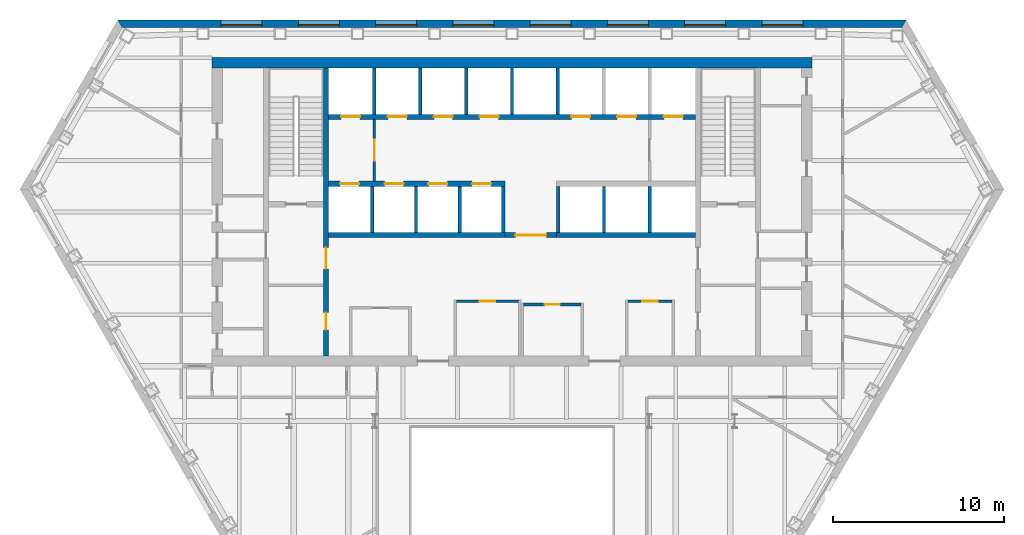
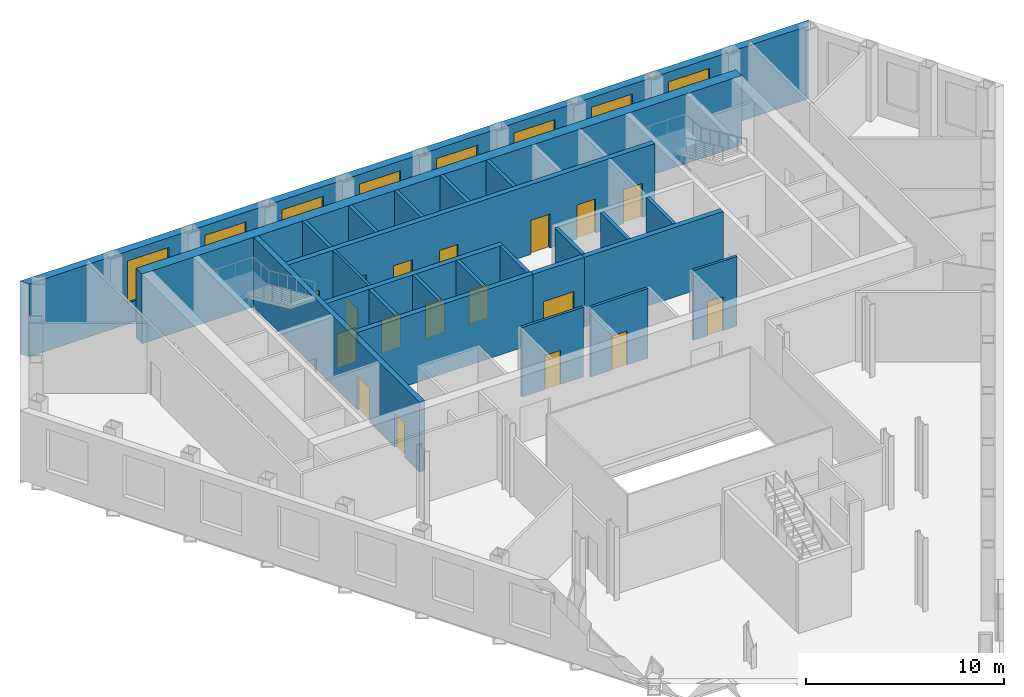
# One storey, part 7 of 11: 24 walls, 18 doors, 8 windows, 26 openings.
"""IFC4 building model written with IfcOpenShell, lengths in metres."""

from ifc_helpers import new_model, si_unit, direction, frame, frame_2d, origin, place, context, subcontext, project, spatial, polyline, rectangle, outline, extrude, material, layer, layer_set, type_object, element, fill, save


model = new_model("IFC4")

# Units and contexts
model_context = context("Model", 3, precision=1e-05, world=origin(), true_north=direction((0.0, 1.0)))
body_context = subcontext(model_context, "Body", "Model", "MODEL_VIEW")
ifc_project = project(units=[si_unit("LENGTHUNIT", "METRE"), si_unit("AREAUNIT", "SQUARE_METRE"), si_unit("VOLUMEUNIT", "CUBIC_METRE"), si_unit("PLANEANGLEUNIT", "RADIAN"), si_unit("MASSUNIT", "GRAM", prefix="KILO")], contexts=[model_context])

# Site, building, storey
site_placement = place(None, origin())
site = spatial("IfcSite", under=ifc_project, at=site_placement, CompositionType="ELEMENT")
building_placement = place(site_placement, origin())
building = spatial("IfcBuilding", under=site, at=building_placement, Name="Njiva Tower", CompositionType="ELEMENT")
storey_placement = place(building_placement, frame((0.0, 0.0, 46.8)))
storey = spatial("IfcBuildingStorey", under=building, at=storey_placement, Name="L09", CompositionType="ELEMENT", Elevation=46.8)

# Wall, opening, door
ifc_material_1 = material(Name="Blockwork", Category="masonry")
ifc_layer_1 = layer(ifc_material_1, 0.15)
ifc_layer_set_1 = layer_set([ifc_layer_1], Name="Blockwork")
wall_type_1 = type_object("IfcWallType", Name="WT1 Compartment partition 150", PredefinedType="PARTITIONING", material=ifc_layer_set_1)
wall_1_placement = place(storey_placement, frame((-3.225, 3.8, 0.0), z_axis=(0.0, 0.0, 1.0), x_axis=(1.0, 0.0, 0.0)))
wall_1 = element("IfcWall", 1, at=wall_1_placement, inside=storey, type_object=wall_type_1, Name="First aid room wall north", PredefinedType="PARTITIONING", context=body_context, shape_type="SweptSolid", body=[
    extrude(rectangle(XDim=3.6, YDim=0.15, at=frame_2d((1.8, 0.0))), origin(), (0.0, 0.0, 1.0), 4.3),
])
opening_1_placement = place(wall_1_placement, frame((1.35, 0.0, 0.0)))
opening_1 = element("IfcOpeningElement", 2, at=opening_1_placement, cuts=wall_1, Name="Opening S03-D933", PredefinedType="OPENING", context=body_context, shape_type="SweptSolid", body=[
    extrude(rectangle(XDim=0.9, YDim=2.1, at=frame_2d((0.45, 1.05))), frame((0.0, 0.085, 0.0), z_axis=(0.0, -1.0, 0.0), x_axis=(1.0, 0.0, 0.0)), (0.0, 0.0, 1.0), 0.17),
])
ifc_material_2 = material(Name="Steel fire door, painted", Category="steel")
door_type_1 = type_object("IfcDoorType", Name="D6 Fire-rated door 900x2100", OperationType="SINGLE_SWING_LEFT", PredefinedType="DOOR", material=ifc_material_2)
door_1_placement = place(opening_1_placement, origin())
door_1 = element("IfcDoor", 3, at=door_1_placement, inside=storey, type_object=door_type_1, Name="First aid room door", OperationType="SINGLE_SWING_LEFT", OverallHeight=2.1, OverallWidth=0.9, PredefinedType="DOOR", context=body_context, shape_type="SweptSolid", body=[
    extrude(rectangle(XDim=0.9, YDim=2.1, at=frame_2d((0.45, 1.05))), frame((0.0, 0.025, 0.0), z_axis=(0.0, -1.0, 0.0), x_axis=(1.0, 0.0, 0.0)), (0.0, 0.0, 1.0), 0.05),
])
fill(opening_1, door_1)

wall_2_placement = place(storey_placement, frame((0.675, 3.6, 0.0), z_axis=(0.0, 0.0, 1.0), x_axis=(1.0, 0.0, 0.0)))
wall_2 = element("IfcWall", 4, at=wall_2_placement, inside=storey, type_object=wall_type_1, Name="Parcel room wall north", PredefinedType="PARTITIONING", context=body_context, shape_type="SweptSolid", body=[
    extrude(rectangle(XDim=3.35, YDim=0.15, at=frame_2d((1.675, 0.0))), origin(), (0.0, 0.0, 1.0), 4.3),
])
opening_2_placement = place(wall_2_placement, frame((1.225, 0.0, 0.0)))
opening_2 = element("IfcOpeningElement", 5, at=opening_2_placement, cuts=wall_2, Name="Opening S03-D934", PredefinedType="OPENING", context=body_context, shape_type="SweptSolid", body=[
    extrude(rectangle(XDim=0.9, YDim=2.1, at=frame_2d((0.45, 1.05))), frame((0.0, 0.085, 0.0), z_axis=(0.0, -1.0, 0.0), x_axis=(1.0, 0.0, 0.0)), (0.0, 0.0, 1.0), 0.17),
])
door_2_placement = place(opening_2_placement, origin())
door_2 = element("IfcDoor", 6, at=door_2_placement, inside=storey, type_object=door_type_1, Name="Parcel room door", OperationType="SINGLE_SWING_LEFT", OverallHeight=2.1, OverallWidth=0.9, PredefinedType="DOOR", context=body_context, shape_type="SweptSolid", body=[
    extrude(rectangle(XDim=0.9, YDim=2.1, at=frame_2d((0.45, 1.05))), frame((0.0, 0.025, 0.0), z_axis=(0.0, -1.0, 0.0), x_axis=(1.0, 0.0, 0.0)), (0.0, 0.0, 1.0), 0.05),
])
fill(opening_2, door_2)

wall_3_placement = place(storey_placement, frame((6.775, 3.8, 0.0), z_axis=(0.0, 0.0, 1.0), x_axis=(1.0, 0.0, 0.0)))
wall_3 = element("IfcWall", 7, at=wall_3_placement, inside=storey, type_object=wall_type_1, Name="Security office wall north", PredefinedType="PARTITIONING", context=body_context, shape_type="SweptSolid", body=[
    extrude(rectangle(XDim=2.55, YDim=0.15, at=frame_2d((1.275, 0.0))), origin(), (0.0, 0.0, 1.0), 4.3),
])
opening_3_placement = place(wall_3_placement, frame((0.825, 0.0, 0.0)))
opening_3 = element("IfcOpeningElement", 8, at=opening_3_placement, cuts=wall_3, Name="Opening S03-D935", PredefinedType="OPENING", context=body_context, shape_type="SweptSolid", body=[
    extrude(rectangle(XDim=0.9, YDim=2.1, at=frame_2d((0.45, 1.05))), frame((0.0, 0.085, 0.0), z_axis=(0.0, -1.0, 0.0), x_axis=(1.0, 0.0, 0.0)), (0.0, 0.0, 1.0), 0.17),
])
door_3_placement = place(opening_3_placement, origin())
door_3 = element("IfcDoor", 9, at=door_3_placement, inside=storey, type_object=door_type_1, Name="Security office door", OperationType="SINGLE_SWING_RIGHT", OverallHeight=2.1, OverallWidth=0.9, PredefinedType="DOOR", context=body_context, shape_type="SweptSolid", body=[
    extrude(rectangle(XDim=0.9, YDim=2.1, at=frame_2d((0.45, 1.05))), frame((0.0, 0.025, 0.0), z_axis=(0.0, -1.0, 0.0), x_axis=(1.0, 0.0, 0.0)), (0.0, 0.0, 1.0), 0.05),
])
fill(opening_3, door_3)

# Wall, openings, doors
ifc_material_3 = material(Name="Concrete C40/50", Category="concrete")
ifc_layer_2 = layer(ifc_material_3, 0.3)
ifc_layer_set_2 = layer_set([ifc_layer_2], Name="Concrete C40/50")
wall_type_2 = type_object("IfcWallType", Name="WT10 Stair enclosure wall 300", PredefinedType="SHEAR", material=ifc_layer_set_2)
wall_4_placement = place(storey_placement, frame((-10.85, 0.6, 0.0), z_axis=(0.0, 0.0, 1.0), x_axis=(0.0, 1.0, 0.0)))
wall_4 = element("IfcWall", 10, at=wall_4_placement, inside=storey, type_object=wall_type_2, Name="Stair wall west inner", PredefinedType="SHEAR", context=body_context, shape_type="SweptSolid", body=[
    extrude(rectangle(XDim=16.8, YDim=0.3, at=frame_2d((8.4, 0.0))), origin(), (0.0, 0.0, 1.0), 4.3),
])
opening_4_placement = place(wall_4_placement, frame((5.075, 0.0, 0.0)))
opening_4 = element("IfcOpeningElement", 11, at=opening_4_placement, cuts=wall_4, Name="Opening S03-D914", PredefinedType="OPENING", context=body_context, shape_type="SweptSolid", body=[
    extrude(rectangle(XDim=1.25, YDim=2.1, at=frame_2d((0.625, 1.05))), frame((0.0, 0.16, 0.0), z_axis=(0.0, -1.0, 0.0), x_axis=(1.0, 0.0, 0.0)), (0.0, 0.0, 1.0), 0.32),
])
opening_5_placement = place(wall_4_placement, frame((1.525, 0.0, 0.0)))
opening_5 = element("IfcOpeningElement", 12, at=opening_5_placement, cuts=wall_4, Name="Opening S03-D915", PredefinedType="OPENING", context=body_context, shape_type="SweptSolid", body=[
    extrude(rectangle(XDim=1.0, YDim=2.1, at=frame_2d((0.5, 1.05))), frame((0.0, 0.16, 0.0), z_axis=(0.0, -1.0, 0.0), x_axis=(1.0, 0.0, 0.0)), (0.0, 0.0, 1.0), 0.32),
])
ifc_material_4 = material(Name="Steel door, painted", Category="steel")
door_type_2 = type_object("IfcDoorType", Name="D5 Steel door 1000x2100", OperationType="SINGLE_SWING_LEFT", PredefinedType="DOOR", material=ifc_material_4)
door_4_placement = place(opening_5_placement, origin())
door_4 = element("IfcDoor", 13, at=door_4_placement, inside=storey, type_object=door_type_2, Name="First aid room door", OperationType="SINGLE_SWING_RIGHT", OverallHeight=2.1, OverallWidth=1.0, PredefinedType="DOOR", context=body_context, shape_type="SweptSolid", body=[
    extrude(rectangle(XDim=1.0, YDim=2.1, at=frame_2d((0.5, 1.05))), frame((0.0, 0.025, 0.0), z_axis=(0.0, -1.0, 0.0), x_axis=(1.0, 0.0, 0.0)), (0.0, 0.0, 1.0), 0.05),
])
fill(opening_5, door_4)
ifc_material_5 = material(Name="Glazed steel fire door", Category="steel")
door_type_3 = type_object("IfcDoorType", Name="D8 Vestibule corridor door 1250x2100 glazed", OperationType="SINGLE_SWING_LEFT", PredefinedType="DOOR", material=ifc_material_5)
door_5_placement = place(opening_4_placement, origin())
door_5 = element("IfcDoor", 14, at=door_5_placement, inside=storey, type_object=door_type_3, Name="Stair vestibule corridor door", OperationType="SINGLE_SWING_LEFT", OverallHeight=2.1, OverallWidth=1.25, PredefinedType="DOOR", context=body_context, shape_type="SweptSolid", body=[
    extrude(rectangle(XDim=1.25, YDim=2.1, at=frame_2d((0.625, 1.05))), frame((0.0, 0.025, 0.0), z_axis=(0.0, -1.0, 0.0), x_axis=(1.0, 0.0, 0.0)), (0.0, 0.0, 1.0), 0.05),
])
fill(opening_4, door_5)

# Wall
ifc_material_6 = material(Name="Concrete C60/75", Category="concrete")
ifc_layer_3 = layer(ifc_material_6, 0.6)
ifc_layer_set_3 = layer_set([ifc_layer_3], Name="Concrete C60/75")
wall_type_3 = type_object("IfcWallType", Name="WT15 Core wall 600", PredefinedType="SHEAR", material=ifc_layer_set_3)
wall_5_placement = place(storey_placement, frame((-17.5, 17.7, 0.0), z_axis=(0.0, 0.0, 1.0), x_axis=(1.0, 0.0, 0.0)))
element("IfcWall", 15, at=wall_5_placement, inside=storey, type_object=wall_type_3, Name="Core wall north", PredefinedType="SHEAR", context=body_context, shape_type="SweptSolid", body=[
    extrude(rectangle(XDim=35.0, YDim=0.6, at=frame_2d((17.5, 0.0))), origin(), (0.0, 0.0, 1.0), 4.3),
])

# Wall, opening, door
ifc_layer_4 = layer(ifc_material_1, 0.15)
ifc_layer_set_4 = layer_set([ifc_layer_4], Name="Blockwork")
wall_type_4 = type_object("IfcWallType", Name="WT2 Lobby partition 150", PredefinedType="PARTITIONING", material=ifc_layer_set_4)
wall_6_placement = place(storey_placement, frame((-8.025, 10.8, 0.0), z_axis=(0.0, 0.0, 1.0), x_axis=(0.0, 1.0, 0.0)))
wall_6 = element("IfcWall", 16, at=wall_6_placement, inside=storey, type_object=wall_type_4, Name="Firefighting lobby wall A", PredefinedType="PARTITIONING", context=body_context, shape_type="SweptSolid", body=[
    extrude(rectangle(XDim=3.6, YDim=0.15, at=frame_2d((1.8, 0.0))), origin(), (0.0, 0.0, 1.0), 4.3),
])
opening_6_placement = place(wall_6_placement, frame((1.175, 0.0, 0.0)))
opening_6 = element("IfcOpeningElement", 17, at=opening_6_placement, cuts=wall_6, Name="Opening S03-D912", PredefinedType="OPENING", context=body_context, shape_type="SweptSolid", body=[
    extrude(rectangle(XDim=1.25, YDim=2.1, at=frame_2d((0.625, 1.05))), frame((0.0, 0.085, 0.0), z_axis=(0.0, -1.0, 0.0), x_axis=(1.0, 0.0, 0.0)), (0.0, 0.0, 1.0), 0.17),
])
door_6_placement = place(opening_6_placement, origin())
door_6 = element("IfcDoor", 18, at=door_6_placement, inside=storey, type_object=door_type_3, Name="Stair vestibule corridor door", OperationType="SINGLE_SWING_RIGHT", OverallHeight=2.1, OverallWidth=1.25, PredefinedType="DOOR", context=body_context, shape_type="SweptSolid", body=[
    extrude(rectangle(XDim=1.25, YDim=2.1, at=frame_2d((0.625, 1.05))), frame((0.0, 0.025, 0.0), z_axis=(0.0, -1.0, 0.0), x_axis=(1.0, 0.0, 0.0)), (0.0, 0.0, 1.0), 0.05),
])
fill(opening_6, door_6)

ifc_layer_5 = layer(ifc_material_1, 0.3)
ifc_layer_set_5 = layer_set([ifc_layer_5], Name="Blockwork")
wall_type_5 = type_object("IfcWallType", Name="WT5 Lobby partition 300", PredefinedType="PARTITIONING", material=ifc_layer_set_5)
wall_7_placement = place(storey_placement, frame((-0.4, 7.65, 0.0), z_axis=(0.0, 0.0, 1.0), x_axis=(1.0, 0.0, 0.0)))
wall_7 = element("IfcWall", 19, at=wall_7_placement, inside=storey, type_object=wall_type_5, Name="Lift lobby screen wall", PredefinedType="PARTITIONING", context=body_context, shape_type="SweptSolid", body=[
    extrude(rectangle(XDim=3.0, YDim=0.3, at=frame_2d((1.5, 0.0))), origin(), (0.0, 0.0, 1.0), 4.3),
])
opening_7_placement = place(wall_7_placement, frame((0.6, 0.0, 0.0)))
opening_7 = element("IfcOpeningElement", 20, at=opening_7_placement, cuts=wall_7, Name="Opening S03-D936", PredefinedType="OPENING", context=body_context, shape_type="SweptSolid", body=[
    extrude(rectangle(XDim=1.8, YDim=2.4, at=frame_2d((0.9, 1.2))), frame((0.0, 0.16, 0.0), z_axis=(0.0, -1.0, 0.0), x_axis=(1.0, 0.0, 0.0)), (0.0, 0.0, 1.0), 0.32),
])
ifc_material_7 = material(Name="Steel and glass door", Category="steel")
door_type_4 = type_object("IfcDoorType", Name="D3 Core entrance door 1800x2400", OperationType="DOUBLE_DOOR_SINGLE_SWING", PredefinedType="DOOR", material=ifc_material_7)
door_7_placement = place(opening_7_placement, origin())
door_7 = element("IfcDoor", 21, at=door_7_placement, inside=storey, type_object=door_type_4, Name="Core entrance door", OperationType="DOUBLE_DOOR_SINGLE_SWING", OverallHeight=2.4, OverallWidth=1.8, PredefinedType="DOOR", context=body_context, shape_type="SweptSolid", body=[
    extrude(rectangle(XDim=1.8, YDim=2.4, at=frame_2d((0.9, 1.2))), frame((0.0, 0.025, 0.0), z_axis=(0.0, -1.0, 0.0), x_axis=(1.0, 0.0, 0.0)), (0.0, 0.0, 1.0), 0.05),
])
fill(opening_7, door_7)

# Walls
ifc_layer_6 = layer(ifc_material_3, 0.2)
ifc_layer_set_6 = layer_set([ifc_layer_6], Name="Concrete C40/50")
wall_type_6 = type_object("IfcWallType", Name="WT6 Lift shaft wall 200", PredefinedType="SHEAR", material=ifc_layer_set_6)
for number, where, z_axis, x_axis, name in (
    (22, (-8.025, 14.7, 0.0), (0.0, 0.0, 1.0), (0.0, 1.0, 0.0), "Shaft wall CN1"),
    (23, (-5.35, 14.7, 0.0), (0.0, 0.0, 1.0), (0.0, 1.0, 0.0), "Shaft wall CN2"),
    (24, (-2.675, 14.7, 0.0), (0.0, 0.0, 1.0), (0.0, 1.0, 0.0), "Shaft wall CN3"),
    (25, (0.0, 14.7, 0.0), (0.0, 0.0, 1.0), (0.0, 1.0, 0.0), "Shaft wall CN4"),
    (26, (2.675, 14.7, 0.0), (0.0, 0.0, 1.0), (0.0, 1.0, 0.0), "Shaft wall CN5"),
    (27, (-8.15, 7.8, 0.0), (0.0, 0.0, 1.0), (0.0, 1.0, 0.0), "Shaft wall CS1"),
    (28, (-5.6, 7.8, 0.0), (0.0, 0.0, 1.0), (0.0, 1.0, 0.0), "Shaft wall CS2"),
    (29, (-3.05, 7.8, 0.0), (0.0, 0.0, 1.0), (0.0, 1.0, 0.0), "Shaft wall CS3"),
    (30, (-0.5, 7.8, 0.0), (0.0, 0.0, 1.0), (0.0, 1.0, 0.0), "Shaft wall CS4"),
    (31, (2.7, 7.8, 0.0), (0.0, 0.0, 1.0), (0.0, 1.0, 0.0), "Shaft wall CS5"),
    (32, (5.3667, 7.8, 0.0), (0.0, 0.0, 1.0), (0.0, 1.0, 0.0), "Shaft wall CS6"),
    (33, (8.0333, 7.8, 0.0), (0.0, 0.0, 1.0), (0.0, 1.0, 0.0), "Shaft wall CS7"),
):
    element("IfcWall", number, at=place(storey_placement, frame(where, z_axis=z_axis, x_axis=x_axis)), inside=storey, type_object=wall_type_6, Name=name, PredefinedType="SHEAR", context=body_context, shape_type="SweptSolid", body=[
        extrude(rectangle(XDim=2.7, YDim=0.2, at=frame_2d((1.35, 0.0))), origin(), (0.0, 0.0, 1.0), 4.3),
    ])

# Wall, openings, doors
ifc_layer_7 = layer(ifc_material_3, 0.3)
ifc_layer_set_7 = layer_set([ifc_layer_7], Name="Concrete C40/50")
wall_type_7 = type_object("IfcWallType", Name="WT7 Lift shaft wall 300", PredefinedType="SHEAR", material=ifc_layer_set_7)
wall_8_placement = place(storey_placement, frame((-10.7, 14.55, 0.0), z_axis=(0.0, 0.0, 1.0), x_axis=(1.0, 0.0, 0.0)))
wall_8 = element("IfcWall", 34, at=wall_8_placement, inside=storey, type_object=wall_type_7, Name="Shaft wall north row lobby side", PredefinedType="SHEAR", context=body_context, shape_type="SweptSolid", body=[
    extrude(rectangle(XDim=21.4, YDim=0.3, at=frame_2d((10.7, 0.0))), origin(), (0.0, 0.0, 1.0), 4.3),
])
opening_8_placement = place(wall_8_placement, frame((0.7375, 0.0, 0.0)))
opening_8 = element("IfcOpeningElement", 35, at=opening_8_placement, cuts=wall_8, Name="Opening S03-D901", PredefinedType="OPENING", context=body_context, shape_type="SweptSolid", body=[
    extrude(rectangle(XDim=1.1, YDim=2.1, at=frame_2d((0.55, 1.05))), frame((0.0, 0.16, 0.0), z_axis=(0.0, -1.0, 0.0), x_axis=(1.0, 0.0, 0.0)), (0.0, 0.0, 1.0), 0.32),
])
opening_9_placement = place(wall_8_placement, frame((3.4625, 0.0, 0.0)))
opening_9 = element("IfcOpeningElement", 36, at=opening_9_placement, cuts=wall_8, Name="Opening S03-D902", PredefinedType="OPENING", context=body_context, shape_type="SweptSolid", body=[
    extrude(rectangle(XDim=1.1, YDim=2.1, at=frame_2d((0.55, 1.05))), frame((0.0, 0.16, 0.0), z_axis=(0.0, -1.0, 0.0), x_axis=(1.0, 0.0, 0.0)), (0.0, 0.0, 1.0), 0.32),
])
opening_10_placement = place(wall_8_placement, frame((6.1375, 0.0, 0.0)))
opening_10 = element("IfcOpeningElement", 37, at=opening_10_placement, cuts=wall_8, Name="Opening S03-D903", PredefinedType="OPENING", context=body_context, shape_type="SweptSolid", body=[
    extrude(rectangle(XDim=1.1, YDim=2.1, at=frame_2d((0.55, 1.05))), frame((0.0, 0.16, 0.0), z_axis=(0.0, -1.0, 0.0), x_axis=(1.0, 0.0, 0.0)), (0.0, 0.0, 1.0), 0.32),
])
opening_11_placement = place(wall_8_placement, frame((8.8125, 0.0, 0.0)))
opening_11 = element("IfcOpeningElement", 38, at=opening_11_placement, cuts=wall_8, Name="Opening S03-D904", PredefinedType="OPENING", context=body_context, shape_type="SweptSolid", body=[
    extrude(rectangle(XDim=1.1, YDim=2.1, at=frame_2d((0.55, 1.05))), frame((0.0, 0.16, 0.0), z_axis=(0.0, -1.0, 0.0), x_axis=(1.0, 0.0, 0.0)), (0.0, 0.0, 1.0), 0.32),
])
opening_12_placement = place(wall_8_placement, frame((14.1625, 0.0, 0.0)))
opening_12 = element("IfcOpeningElement", 39, at=opening_12_placement, cuts=wall_8, Name="Opening S03-D905", PredefinedType="OPENING", context=body_context, shape_type="SweptSolid", body=[
    extrude(rectangle(XDim=1.1, YDim=2.1, at=frame_2d((0.55, 1.05))), frame((0.0, 0.16, 0.0), z_axis=(0.0, -1.0, 0.0), x_axis=(1.0, 0.0, 0.0)), (0.0, 0.0, 1.0), 0.32),
])
opening_13_placement = place(wall_8_placement, frame((16.8375, 0.0, 0.0)))
opening_13 = element("IfcOpeningElement", 40, at=opening_13_placement, cuts=wall_8, Name="Opening S03-D906", PredefinedType="OPENING", context=body_context, shape_type="SweptSolid", body=[
    extrude(rectangle(XDim=1.1, YDim=2.1, at=frame_2d((0.55, 1.05))), frame((0.0, 0.16, 0.0), z_axis=(0.0, -1.0, 0.0), x_axis=(1.0, 0.0, 0.0)), (0.0, 0.0, 1.0), 0.32),
])
opening_14_placement = place(wall_8_placement, frame((19.5625, 0.0, 0.0)))
opening_14 = element("IfcOpeningElement", 41, at=opening_14_placement, cuts=wall_8, Name="Opening S03-D907", PredefinedType="OPENING", context=body_context, shape_type="SweptSolid", body=[
    extrude(rectangle(XDim=1.1, YDim=2.1, at=frame_2d((0.55, 1.05))), frame((0.0, 0.16, 0.0), z_axis=(0.0, -1.0, 0.0), x_axis=(1.0, 0.0, 0.0)), (0.0, 0.0, 1.0), 0.32),
])
ifc_material_8 = material(Name="Stainless steel sliding door", Category="steel")
door_type_5 = type_object("IfcDoorType", Name="LD Lift landing door 1100x2100", OperationType="SLIDING_TO_LEFT", PredefinedType="DOOR", material=ifc_material_8)
door_8_placement = place(opening_8_placement, origin())
door_8 = element("IfcDoor", 42, at=door_8_placement, inside=storey, type_object=door_type_5, Name="Lift landing door FF1", OperationType="SLIDING_TO_LEFT", OverallHeight=2.1, OverallWidth=1.1, PredefinedType="DOOR", context=body_context, shape_type="SweptSolid", body=[
    extrude(rectangle(XDim=1.1, YDim=2.1, at=frame_2d((0.55, 1.05))), frame((0.0, 0.025, 0.0), z_axis=(0.0, -1.0, 0.0), x_axis=(1.0, 0.0, 0.0)), (0.0, 0.0, 1.0), 0.05),
])
fill(opening_8, door_8)
door_9_placement = place(opening_9_placement, origin())
door_9 = element("IfcDoor", 43, at=door_9_placement, inside=storey, type_object=door_type_5, Name="Lift landing door LB1", OperationType="SLIDING_TO_LEFT", OverallHeight=2.1, OverallWidth=1.1, PredefinedType="DOOR", context=body_context, shape_type="SweptSolid", body=[
    extrude(rectangle(XDim=1.1, YDim=2.1, at=frame_2d((0.55, 1.05))), frame((0.0, 0.025, 0.0), z_axis=(0.0, -1.0, 0.0), x_axis=(1.0, 0.0, 0.0)), (0.0, 0.0, 1.0), 0.05),
])
fill(opening_9, door_9)
door_10_placement = place(opening_10_placement, origin())
door_10 = element("IfcDoor", 44, at=door_10_placement, inside=storey, type_object=door_type_5, Name="Lift landing door LB2", OperationType="SLIDING_TO_LEFT", OverallHeight=2.1, OverallWidth=1.1, PredefinedType="DOOR", context=body_context, shape_type="SweptSolid", body=[
    extrude(rectangle(XDim=1.1, YDim=2.1, at=frame_2d((0.55, 1.05))), frame((0.0, 0.025, 0.0), z_axis=(0.0, -1.0, 0.0), x_axis=(1.0, 0.0, 0.0)), (0.0, 0.0, 1.0), 0.05),
])
fill(opening_10, door_10)
door_11_placement = place(opening_11_placement, origin())
door_11 = element("IfcDoor", 45, at=door_11_placement, inside=storey, type_object=door_type_5, Name="Lift landing door LB3", OperationType="SLIDING_TO_LEFT", OverallHeight=2.1, OverallWidth=1.1, PredefinedType="DOOR", context=body_context, shape_type="SweptSolid", body=[
    extrude(rectangle(XDim=1.1, YDim=2.1, at=frame_2d((0.55, 1.05))), frame((0.0, 0.025, 0.0), z_axis=(0.0, -1.0, 0.0), x_axis=(1.0, 0.0, 0.0)), (0.0, 0.0, 1.0), 0.05),
])
fill(opening_11, door_11)
door_12_placement = place(opening_12_placement, origin())
door_12 = element("IfcDoor", 46, at=door_12_placement, inside=storey, type_object=door_type_5, Name="Lift landing door FR1", OperationType="SLIDING_TO_LEFT", OverallHeight=2.1, OverallWidth=1.1, PredefinedType="DOOR", context=body_context, shape_type="SweptSolid", body=[
    extrude(rectangle(XDim=1.1, YDim=2.1, at=frame_2d((0.55, 1.05))), frame((0.0, 0.025, 0.0), z_axis=(0.0, -1.0, 0.0), x_axis=(1.0, 0.0, 0.0)), (0.0, 0.0, 1.0), 0.05),
])
fill(opening_12, door_12)
door_13_placement = place(opening_13_placement, origin())
door_13 = element("IfcDoor", 47, at=door_13_placement, inside=storey, type_object=door_type_5, Name="Lift landing door FR2", OperationType="SLIDING_TO_LEFT", OverallHeight=2.1, OverallWidth=1.1, PredefinedType="DOOR", context=body_context, shape_type="SweptSolid", body=[
    extrude(rectangle(XDim=1.1, YDim=2.1, at=frame_2d((0.55, 1.05))), frame((0.0, 0.025, 0.0), z_axis=(0.0, -1.0, 0.0), x_axis=(1.0, 0.0, 0.0)), (0.0, 0.0, 1.0), 0.05),
])
fill(opening_13, door_13)
door_14_placement = place(opening_14_placement, origin())
door_14 = element("IfcDoor", 48, at=door_14_placement, inside=storey, type_object=door_type_5, Name="Lift landing door FF2", OperationType="SLIDING_TO_LEFT", OverallHeight=2.1, OverallWidth=1.1, PredefinedType="DOOR", context=body_context, shape_type="SweptSolid", body=[
    extrude(rectangle(XDim=1.1, YDim=2.1, at=frame_2d((0.55, 1.05))), frame((0.0, 0.025, 0.0), z_axis=(0.0, -1.0, 0.0), x_axis=(1.0, 0.0, 0.0)), (0.0, 0.0, 1.0), 0.05),
])
fill(opening_14, door_14)

wall_9_placement = place(storey_placement, frame((-10.7, 10.65, 0.0), z_axis=(0.0, 0.0, 1.0), x_axis=(1.0, 0.0, 0.0)))
wall_9 = element("IfcWall", 49, at=wall_9_placement, inside=storey, type_object=wall_type_7, Name="Shaft wall south row lobby side W", PredefinedType="SHEAR", context=body_context, shape_type="SweptSolid", body=[
    extrude(rectangle(XDim=10.3, YDim=0.3, at=frame_2d((5.15, 0.0))), origin(), (0.0, 0.0, 1.0), 4.3),
])
opening_15_placement = place(wall_9_placement, frame((0.675, 0.0, 0.0)))
opening_15 = element("IfcOpeningElement", 50, at=opening_15_placement, cuts=wall_9, Name="Opening S03-D908", PredefinedType="OPENING", context=body_context, shape_type="SweptSolid", body=[
    extrude(rectangle(XDim=1.1, YDim=2.1, at=frame_2d((0.55, 1.05))), frame((0.0, 0.16, 0.0), z_axis=(0.0, -1.0, 0.0), x_axis=(1.0, 0.0, 0.0)), (0.0, 0.0, 1.0), 0.32),
])
opening_16_placement = place(wall_9_placement, frame((3.275, 0.0, 0.0)))
opening_16 = element("IfcOpeningElement", 51, at=opening_16_placement, cuts=wall_9, Name="Opening S03-D909", PredefinedType="OPENING", context=body_context, shape_type="SweptSolid", body=[
    extrude(rectangle(XDim=1.1, YDim=2.1, at=frame_2d((0.55, 1.05))), frame((0.0, 0.16, 0.0), z_axis=(0.0, -1.0, 0.0), x_axis=(1.0, 0.0, 0.0)), (0.0, 0.0, 1.0), 0.32),
])
opening_17_placement = place(wall_9_placement, frame((5.825, 0.0, 0.0)))
opening_17 = element("IfcOpeningElement", 52, at=opening_17_placement, cuts=wall_9, Name="Opening S03-D910", PredefinedType="OPENING", context=body_context, shape_type="SweptSolid", body=[
    extrude(rectangle(XDim=1.1, YDim=2.1, at=frame_2d((0.55, 1.05))), frame((0.0, 0.16, 0.0), z_axis=(0.0, -1.0, 0.0), x_axis=(1.0, 0.0, 0.0)), (0.0, 0.0, 1.0), 0.32),
])
opening_18_placement = place(wall_9_placement, frame((8.375, 0.0, 0.0)))
opening_18 = element("IfcOpeningElement", 53, at=opening_18_placement, cuts=wall_9, Name="Opening S03-D911", PredefinedType="OPENING", context=body_context, shape_type="SweptSolid", body=[
    extrude(rectangle(XDim=1.1, YDim=2.1, at=frame_2d((0.55, 1.05))), frame((0.0, 0.16, 0.0), z_axis=(0.0, -1.0, 0.0), x_axis=(1.0, 0.0, 0.0)), (0.0, 0.0, 1.0), 0.32),
])
door_15_placement = place(opening_15_placement, origin())
door_15 = element("IfcDoor", 54, at=door_15_placement, inside=storey, type_object=door_type_5, Name="Lift landing door LB4", OperationType="SLIDING_TO_LEFT", OverallHeight=2.1, OverallWidth=1.1, PredefinedType="DOOR", context=body_context, shape_type="SweptSolid", body=[
    extrude(rectangle(XDim=1.1, YDim=2.1, at=frame_2d((0.55, 1.05))), frame((0.0, 0.025, 0.0), z_axis=(0.0, -1.0, 0.0), x_axis=(1.0, 0.0, 0.0)), (0.0, 0.0, 1.0), 0.05),
])
fill(opening_15, door_15)
door_16_placement = place(opening_16_placement, origin())
door_16 = element("IfcDoor", 55, at=door_16_placement, inside=storey, type_object=door_type_5, Name="Lift landing door LB5", OperationType="SLIDING_TO_LEFT", OverallHeight=2.1, OverallWidth=1.1, PredefinedType="DOOR", context=body_context, shape_type="SweptSolid", body=[
    extrude(rectangle(XDim=1.1, YDim=2.1, at=frame_2d((0.55, 1.05))), frame((0.0, 0.025, 0.0), z_axis=(0.0, -1.0, 0.0), x_axis=(1.0, 0.0, 0.0)), (0.0, 0.0, 1.0), 0.05),
])
fill(opening_16, door_16)
door_17_placement = place(opening_17_placement, origin())
door_17 = element("IfcDoor", 56, at=door_17_placement, inside=storey, type_object=door_type_5, Name="Lift landing door LB6", OperationType="SLIDING_TO_LEFT", OverallHeight=2.1, OverallWidth=1.1, PredefinedType="DOOR", context=body_context, shape_type="SweptSolid", body=[
    extrude(rectangle(XDim=1.1, YDim=2.1, at=frame_2d((0.55, 1.05))), frame((0.0, 0.025, 0.0), z_axis=(0.0, -1.0, 0.0), x_axis=(1.0, 0.0, 0.0)), (0.0, 0.0, 1.0), 0.05),
])
fill(opening_17, door_17)
door_18_placement = place(opening_18_placement, origin())
door_18 = element("IfcDoor", 57, at=door_18_placement, inside=storey, type_object=door_type_5, Name="Lift landing door LB7", OperationType="SLIDING_TO_LEFT", OverallHeight=2.1, OverallWidth=1.1, PredefinedType="DOOR", context=body_context, shape_type="SweptSolid", body=[
    extrude(rectangle(XDim=1.1, YDim=2.1, at=frame_2d((0.55, 1.05))), frame((0.0, 0.025, 0.0), z_axis=(0.0, -1.0, 0.0), x_axis=(1.0, 0.0, 0.0)), (0.0, 0.0, 1.0), 0.05),
])
fill(opening_18, door_18)

# Walls
wall_10_placement = place(storey_placement, frame((-10.7, 7.65, 0.0), z_axis=(0.0, 0.0, 1.0), x_axis=(1.0, 0.0, 0.0)))
element("IfcWall", 58, at=wall_10_placement, inside=storey, type_object=wall_type_7, Name="Shaft wall south row back W", PredefinedType="SHEAR", context=body_context, shape_type="SweptSolid", body=[
    extrude(rectangle(XDim=10.3, YDim=0.3, at=frame_2d((5.15, 0.0))), origin(), (0.0, 0.0, 1.0), 4.3),
])
wall_11_placement = place(storey_placement, frame((2.6, 7.65, 0.0), z_axis=(0.0, 0.0, 1.0), x_axis=(1.0, 0.0, 0.0)))
element("IfcWall", 59, at=wall_11_placement, inside=storey, type_object=wall_type_7, Name="Shaft wall south row back E", PredefinedType="SHEAR", context=body_context, shape_type="SweptSolid", body=[
    extrude(rectangle(XDim=8.1, YDim=0.3, at=frame_2d((4.05, 0.0))), origin(), (0.0, 0.0, 1.0), 4.3),
])

# Wall, openings, windows
ifc_material_9 = material(Name="Brick masonry", Category="masonry")
ifc_layer_8 = layer(ifc_material_9, 0.45)
ifc_layer_set_8 = layer_set([ifc_layer_8], Name="Brick masonry")
wall_type_8 = type_object("IfcWallType", Name="WT90 Brick pier and spandrel wall 450", PredefinedType="SOLIDWALL", material=ifc_layer_set_8)
wall_12_placement = place(storey_placement, frame((22.8701, 19.975, -0.4), z_axis=(0.0, 0.0, 1.0), x_axis=(-1.0, 0.0, 0.0)))
wall_12 = element("IfcWall", 60, at=wall_12_placement, inside=storey, type_object=wall_type_8, Name="Facade wall N", PredefinedType="SOLIDWALL", context=body_context, shape_type="SweptSolid", body=[
    extrude(outline(polyline([(-0.1299, -0.225), (45.8701, -0.225), (45.6103, 0.225), (0.1299, 0.225), (-0.1299, -0.225)])), origin(), (0.0, 0.0, 1.0), 4.5),
])
opening_19_placement = place(wall_12_placement, frame((5.8934, 0.0, 1.3)))
opening_19 = element("IfcOpeningElement", 61, at=opening_19_placement, cuts=wall_12, Name="Opening S03-W01", PredefinedType="OPENING", context=body_context, shape_type="SweptSolid", body=[
    extrude(rectangle(XDim=2.4, YDim=2.6, at=frame_2d((1.2, 1.3))), frame((0.0, 0.235, 0.0), z_axis=(0.0, -1.0, 0.0), x_axis=(1.0, 0.0, 0.0)), (0.0, 0.0, 1.0), 0.47),
])
opening_20_placement = place(wall_12_placement, frame((10.401, 0.0, 1.3)))
opening_20 = element("IfcOpeningElement", 62, at=opening_20_placement, cuts=wall_12, Name="Opening S03-W02", PredefinedType="OPENING", context=body_context, shape_type="SweptSolid", body=[
    extrude(rectangle(XDim=2.4, YDim=2.6, at=frame_2d((1.2, 1.3))), frame((0.0, 0.235, 0.0), z_axis=(0.0, -1.0, 0.0), x_axis=(1.0, 0.0, 0.0)), (0.0, 0.0, 1.0), 0.47),
])
opening_21_placement = place(wall_12_placement, frame((14.9087, 0.0, 1.3)))
opening_21 = element("IfcOpeningElement", 63, at=opening_21_placement, cuts=wall_12, Name="Opening S03-W03", PredefinedType="OPENING", context=body_context, shape_type="SweptSolid", body=[
    extrude(rectangle(XDim=2.4, YDim=2.6, at=frame_2d((1.2, 1.3))), frame((0.0, 0.235, 0.0), z_axis=(0.0, -1.0, 0.0), x_axis=(1.0, 0.0, 0.0)), (0.0, 0.0, 1.0), 0.47),
])
opening_22_placement = place(wall_12_placement, frame((19.4163, 0.0, 1.3)))
opening_22 = element("IfcOpeningElement", 64, at=opening_22_placement, cuts=wall_12, Name="Opening S03-W04", PredefinedType="OPENING", context=body_context, shape_type="SweptSolid", body=[
    extrude(rectangle(XDim=2.4, YDim=2.6, at=frame_2d((1.2, 1.3))), frame((0.0, 0.235, 0.0), z_axis=(0.0, -1.0, 0.0), x_axis=(1.0, 0.0, 0.0)), (0.0, 0.0, 1.0), 0.47),
])
opening_23_placement = place(wall_12_placement, frame((23.9239, 0.0, 1.3)))
opening_23 = element("IfcOpeningElement", 65, at=opening_23_placement, cuts=wall_12, Name="Opening S03-W05", PredefinedType="OPENING", context=body_context, shape_type="SweptSolid", body=[
    extrude(rectangle(XDim=2.4, YDim=2.6, at=frame_2d((1.2, 1.3))), frame((0.0, 0.235, 0.0), z_axis=(0.0, -1.0, 0.0), x_axis=(1.0, 0.0, 0.0)), (0.0, 0.0, 1.0), 0.47),
])
opening_24_placement = place(wall_12_placement, frame((28.4315, 0.0, 1.3)))
opening_24 = element("IfcOpeningElement", 66, at=opening_24_placement, cuts=wall_12, Name="Opening S03-W06", PredefinedType="OPENING", context=body_context, shape_type="SweptSolid", body=[
    extrude(rectangle(XDim=2.4, YDim=2.6, at=frame_2d((1.2, 1.3))), frame((0.0, 0.235, 0.0), z_axis=(0.0, -1.0, 0.0), x_axis=(1.0, 0.0, 0.0)), (0.0, 0.0, 1.0), 0.47),
])
opening_25_placement = place(wall_12_placement, frame((32.9391, 0.0, 1.3)))
opening_25 = element("IfcOpeningElement", 67, at=opening_25_placement, cuts=wall_12, Name="Opening S03-W07", PredefinedType="OPENING", context=body_context, shape_type="SweptSolid", body=[
    extrude(rectangle(XDim=2.4, YDim=2.6, at=frame_2d((1.2, 1.3))), frame((0.0, 0.235, 0.0), z_axis=(0.0, -1.0, 0.0), x_axis=(1.0, 0.0, 0.0)), (0.0, 0.0, 1.0), 0.47),
])
opening_26_placement = place(wall_12_placement, frame((37.4468, 0.0, 1.3)))
opening_26 = element("IfcOpeningElement", 68, at=opening_26_placement, cuts=wall_12, Name="Opening S03-W08", PredefinedType="OPENING", context=body_context, shape_type="SweptSolid", body=[
    extrude(rectangle(XDim=2.4, YDim=2.6, at=frame_2d((1.2, 1.3))), frame((0.0, 0.235, 0.0), z_axis=(0.0, -1.0, 0.0), x_axis=(1.0, 0.0, 0.0)), (0.0, 0.0, 1.0), 0.47),
])
ifc_material_10 = material(Name="Clear glazing in aluminium frame", Category="aluminium")
window_type = type_object("IfcWindowType", Name="W92 Deep-set window 2400x2600", PartitioningType="SINGLE_PANEL", PredefinedType="WINDOW", material=ifc_material_10)
window_1_placement = place(opening_19_placement, origin())
window_1 = element("IfcWindow", 69, at=window_1_placement, inside=storey, type_object=window_type, Name="Window", OverallHeight=2.6, OverallWidth=2.4, PartitioningType="SINGLE_PANEL", PredefinedType="WINDOW", context=body_context, shape_type="SweptSolid", body=[
    extrude(rectangle(XDim=2.4, YDim=2.6, at=frame_2d((1.2, 1.3))), frame((0.0, 0.105, 0.0), z_axis=(0.0, -1.0, 0.0), x_axis=(1.0, 0.0, 0.0)), (0.0, 0.0, 1.0), 0.06),
])
fill(opening_19, window_1)
window_2_placement = place(opening_20_placement, origin())
window_2 = element("IfcWindow", 70, at=window_2_placement, inside=storey, type_object=window_type, Name="Window", OverallHeight=2.6, OverallWidth=2.4, PartitioningType="SINGLE_PANEL", PredefinedType="WINDOW", context=body_context, shape_type="SweptSolid", body=[
    extrude(rectangle(XDim=2.4, YDim=2.6, at=frame_2d((1.2, 1.3))), frame((0.0, 0.105, 0.0), z_axis=(0.0, -1.0, 0.0), x_axis=(1.0, 0.0, 0.0)), (0.0, 0.0, 1.0), 0.06),
])
fill(opening_20, window_2)
window_3_placement = place(opening_21_placement, origin())
window_3 = element("IfcWindow", 71, at=window_3_placement, inside=storey, type_object=window_type, Name="Window", OverallHeight=2.6, OverallWidth=2.4, PartitioningType="SINGLE_PANEL", PredefinedType="WINDOW", context=body_context, shape_type="SweptSolid", body=[
    extrude(rectangle(XDim=2.4, YDim=2.6, at=frame_2d((1.2, 1.3))), frame((0.0, 0.105, 0.0), z_axis=(0.0, -1.0, 0.0), x_axis=(1.0, 0.0, 0.0)), (0.0, 0.0, 1.0), 0.06),
])
fill(opening_21, window_3)
window_4_placement = place(opening_22_placement, origin())
window_4 = element("IfcWindow", 72, at=window_4_placement, inside=storey, type_object=window_type, Name="Window", OverallHeight=2.6, OverallWidth=2.4, PartitioningType="SINGLE_PANEL", PredefinedType="WINDOW", context=body_context, shape_type="SweptSolid", body=[
    extrude(rectangle(XDim=2.4, YDim=2.6, at=frame_2d((1.2, 1.3))), frame((0.0, 0.105, 0.0), z_axis=(0.0, -1.0, 0.0), x_axis=(1.0, 0.0, 0.0)), (0.0, 0.0, 1.0), 0.06),
])
fill(opening_22, window_4)
window_5_placement = place(opening_23_placement, origin())
window_5 = element("IfcWindow", 73, at=window_5_placement, inside=storey, type_object=window_type, Name="Window", OverallHeight=2.6, OverallWidth=2.4, PartitioningType="SINGLE_PANEL", PredefinedType="WINDOW", context=body_context, shape_type="SweptSolid", body=[
    extrude(rectangle(XDim=2.4, YDim=2.6, at=frame_2d((1.2, 1.3))), frame((0.0, 0.105, 0.0), z_axis=(0.0, -1.0, 0.0), x_axis=(1.0, 0.0, 0.0)), (0.0, 0.0, 1.0), 0.06),
])
fill(opening_23, window_5)
window_6_placement = place(opening_24_placement, origin())
window_6 = element("IfcWindow", 74, at=window_6_placement, inside=storey, type_object=window_type, Name="Window", OverallHeight=2.6, OverallWidth=2.4, PartitioningType="SINGLE_PANEL", PredefinedType="WINDOW", context=body_context, shape_type="SweptSolid", body=[
    extrude(rectangle(XDim=2.4, YDim=2.6, at=frame_2d((1.2, 1.3))), frame((0.0, 0.105, 0.0), z_axis=(0.0, -1.0, 0.0), x_axis=(1.0, 0.0, 0.0)), (0.0, 0.0, 1.0), 0.06),
])
fill(opening_24, window_6)
window_7_placement = place(opening_25_placement, origin())
window_7 = element("IfcWindow", 75, at=window_7_placement, inside=storey, type_object=window_type, Name="Window", OverallHeight=2.6, OverallWidth=2.4, PartitioningType="SINGLE_PANEL", PredefinedType="WINDOW", context=body_context, shape_type="SweptSolid", body=[
    extrude(rectangle(XDim=2.4, YDim=2.6, at=frame_2d((1.2, 1.3))), frame((0.0, 0.105, 0.0), z_axis=(0.0, -1.0, 0.0), x_axis=(1.0, 0.0, 0.0)), (0.0, 0.0, 1.0), 0.06),
])
fill(opening_25, window_7)
window_8_placement = place(opening_26_placement, origin())
window_8 = element("IfcWindow", 76, at=window_8_placement, inside=storey, type_object=window_type, Name="Window", OverallHeight=2.6, OverallWidth=2.4, PartitioningType="SINGLE_PANEL", PredefinedType="WINDOW", context=body_context, shape_type="SweptSolid", body=[
    extrude(rectangle(XDim=2.4, YDim=2.6, at=frame_2d((1.2, 1.3))), frame((0.0, 0.105, 0.0), z_axis=(0.0, -1.0, 0.0), x_axis=(1.0, 0.0, 0.0)), (0.0, 0.0, 1.0), 0.06),
])
fill(opening_26, window_8)

save(model, "model.ifc")
